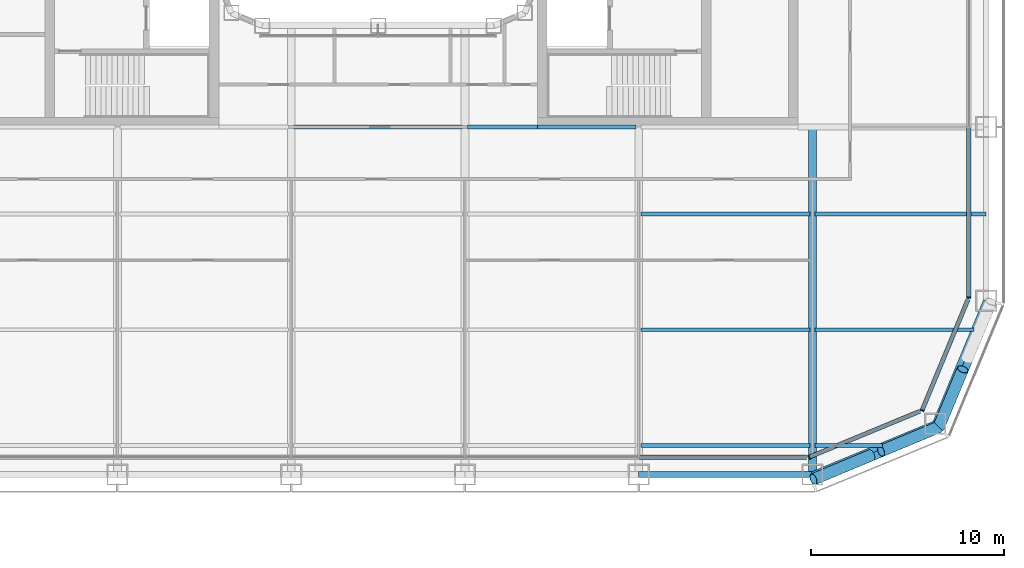
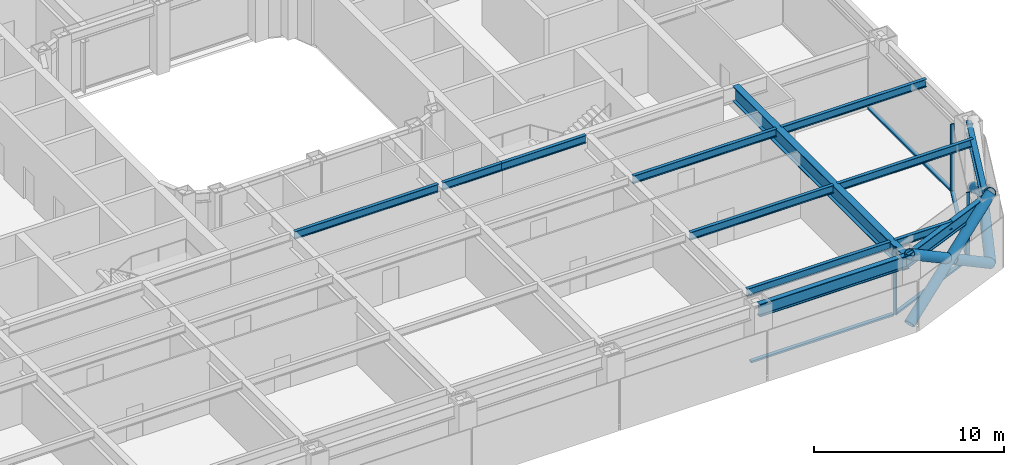
# One storey, part 4 of 27: 13 beams, 12 members, 4 elements without a shape of their own.
"""IFC4 building model written with IfcOpenShell, lengths in metres."""

from ifc_helpers import new_model, si_unit, direction, frame, origin, origin_2d, place, context, subcontext, project, spatial, rectangle, hollow_circle, i_section, extrude, material, layer, layer_set, material_profile, profile_set, type_object, element, aggregate, save


model = new_model("IFC4")

# Units and contexts
model_context = context("Model", 3, precision=1e-05, world=origin(), true_north=direction((0.0, 1.0)))
body_context = subcontext(model_context, "Body", "Model", "MODEL_VIEW")
ifc_project = project(units=[si_unit("LENGTHUNIT", "METRE"), si_unit("AREAUNIT", "SQUARE_METRE"), si_unit("VOLUMEUNIT", "CUBIC_METRE"), si_unit("PLANEANGLEUNIT", "RADIAN"), si_unit("MASSUNIT", "GRAM", prefix="KILO")], contexts=[model_context])

# Site, building, storey
site_placement = place(None, origin())
site = spatial("IfcSite", under=ifc_project, at=site_placement, CompositionType="ELEMENT")
building_placement = place(site_placement, origin())
building = spatial("IfcBuilding", under=site, at=building_placement, Name="Siwar Civic Tower", CompositionType="ELEMENT")
storey_placement = place(building_placement, frame((0.0, 0.0, 35.699951171875)))
storey = spatial("IfcBuildingStorey", under=building, at=storey_placement, Name="L07", CompositionType="ELEMENT", Elevation=35.699951171875)

# Curtain wall, member
ifc_material_1 = material(Name="Aluminium clad insulated panel", Category="aluminium")
ifc_layer_1 = layer(ifc_material_1, 0.219970703125)
ifc_layer_set_1 = layer_set([ifc_layer_1], Name="Aluminium clad insulated panel")
curtain_wall_type_1 = type_object("IfcCurtainWallType", Name="ENV-CW-AX", PredefinedType="NOTDEFINED", material=ifc_layer_set_1)
curtain_wall_1_placement = place(storey_placement, origin())
curtain_wall_1 = element("IfcCurtainWall", 1, at=curtain_wall_1_placement, inside=storey, type_object=curtain_wall_type_1, Name="Curtain wall A SE1", PredefinedType="NOTDEFINED")
ifc_material_2 = material(Name="Aluminium 6063-T6", Category="aluminium")
ifc_material_profile_1 = material_profile(ifc_material_2, rectangle(XDim=0.219970703125, YDim=0.070068359375, at=origin_2d()), Name="AL 220x70")
ifc_profile_set_1 = profile_set([ifc_material_profile_1], Name="Aluminium 6063-T6")
member_type_1 = type_object("IfcMemberType", Name="ENV-MULLION-A", PredefinedType="MULLION", material=ifc_profile_set_1)
member_1_placement = place(storey_placement, frame((22.321044921875, -30.60009765625, 0.0), z_axis=(0.0, 0.0, 1.0), x_axis=(-0.382683432365, 0.923879532511, 0.0)))
member_1 = element("IfcMember", 2, at=member_1_placement, type_object=member_type_1, Name="Mullion A SE1 1", PredefinedType="MULLION", context=body_context, shape_type="SweptSolid", body=[
    extrude(rectangle(XDim=0.219970703125, YDim=0.070068359375, at=origin_2d()), origin(), (0.0, 0.0, 1.0), 4.35009765625),
])

curtain_wall_2_placement = place(storey_placement, origin())
curtain_wall_2 = element("IfcCurtainWall", 3, at=curtain_wall_2_placement, inside=storey, type_object=curtain_wall_type_1, Name="Curtain wall A SE2", PredefinedType="NOTDEFINED")
member_2_placement = place(storey_placement, frame((28.175048828125, -28.175048828125, 0.0), z_axis=(0.0, 0.0, 1.0), x_axis=(-0.923879532511, 0.382683432365, 0.0)))
member_2 = element("IfcMember", 4, at=member_2_placement, type_object=member_type_1, Name="Mullion A SE2 1", PredefinedType="MULLION", context=body_context, shape_type="SweptSolid", body=[
    extrude(rectangle(XDim=0.219970703125, YDim=0.070068359375, at=origin_2d()), origin(), (0.0, 0.0, 1.0), 4.35009765625),
])

ifc_material_3 = material(Name="Aluminium and glass", Category="aluminium")
ifc_layer_2 = layer(ifc_material_3, 0.219970703125)
ifc_layer_set_2 = layer_set([ifc_layer_2], Name="Aluminium and glass")
curtain_wall_type_2 = type_object("IfcCurtainWallType", Name="ENV-CW-A", PredefinedType="NOTDEFINED", material=ifc_layer_set_2)
curtain_wall_3_placement = place(storey_placement, origin())
curtain_wall_3 = element("IfcCurtainWall", 5, at=curtain_wall_3_placement, inside=storey, type_object=curtain_wall_type_2, Name="Curtain wall A E", PredefinedType="NOTDEFINED")
member_3_placement = place(storey_placement, frame((30.60009765625, -22.321044921875, 0.0), z_axis=(0.0, 0.0, 1.0), x_axis=(-1.0, 0.0, 0.0)))
member_3 = element("IfcMember", 6, at=member_3_placement, type_object=member_type_1, Name="Mullion A E 1", PredefinedType="MULLION", context=body_context, shape_type="SweptSolid", body=[
    extrude(rectangle(XDim=0.219970703125, YDim=0.070068359375, at=origin_2d()), origin(), (0.0, 0.0, 1.0), 4.35009765625),
])

curtain_wall_4_placement = place(storey_placement, origin())
curtain_wall_4 = element("IfcCurtainWall", 7, at=curtain_wall_4_placement, inside=storey, type_object=curtain_wall_type_2, Name="Curtain wall A S", PredefinedType="NOTDEFINED")
ifc_material_4 = material(Name="Aluminium 6063-T6", Category="aluminium")
ifc_material_profile_2 = material_profile(ifc_material_4, rectangle(XDim=0.219970703125, YDim=0.1201171875, at=origin_2d()), Name="AL 220x120")
ifc_profile_set_2 = profile_set([ifc_material_profile_2], Name="Aluminium 6063-T6")
member_type_2 = type_object("IfcMemberType", Name="ENV-TRANSOM-A", PredefinedType="USERDEFINED", material=ifc_profile_set_2)
member_4_placement = place(storey_placement, frame((13.534912109375, -30.60009765625, 0.06005859375), z_axis=(1.0, 0.0, 0.0), x_axis=(0.0, 1.0, 0.0)))
member_4 = element("IfcMember", 8, at=member_4_placement, type_object=member_type_2, Name="Transom A S 5", ObjectType="TRANSOM", PredefinedType="USERDEFINED", context=body_context, shape_type="SweptSolid", body=[
    extrude(rectangle(XDim=0.219970703125, YDim=0.1201171875, at=origin_2d()), origin(), (0.0, 0.0, 1.0), 8.66357421875),
])
aggregate(curtain_wall_4, [member_4])

# Member
member_5_placement = place(storey_placement, frame((22.353271484375, -30.586669921875, 0.06005859375), z_axis=(0.923873326341, 0.382698415042, 0.0), x_axis=(-0.382698415042, 0.923873326341, 0.0)))
member_5 = element("IfcMember", 9, at=member_5_placement, type_object=member_type_2, Name="Transom A SE1 1", ObjectType="TRANSOM", PredefinedType="USERDEFINED", context=body_context, shape_type="SweptSolid", body=[
    extrude(rectangle(XDim=0.219970703125, YDim=0.1201171875, at=origin_2d()), origin(), (0.0, 0.0, 1.0), 6.17919921875),
])

aggregate(curtain_wall_1, [member_1, member_5])

member_6_placement = place(storey_placement, frame((28.1884765625, -28.142822265625, 0.06005859375), z_axis=(0.382698415042, 0.923873326341, 0.0), x_axis=(-0.923873326341, 0.382698415042, 0.0)))
member_6 = element("IfcMember", 10, at=member_6_placement, type_object=member_type_2, Name="Transom A SE2 1", ObjectType="TRANSOM", PredefinedType="USERDEFINED", context=body_context, shape_type="SweptSolid", body=[
    extrude(rectangle(XDim=0.219970703125, YDim=0.1201171875, at=origin_2d()), origin(), (0.0, 0.0, 1.0), 6.17919921875),
])

aggregate(curtain_wall_2, [member_2, member_6])

member_7_placement = place(storey_placement, frame((30.60009765625, -22.285888671875, 0.06005859375), z_axis=(0.0, 1.0, 0.0), x_axis=(-1.0, 0.0, 0.0)))
member_7 = element("IfcMember", 11, at=member_7_placement, type_object=member_type_2, Name="Transom A E 1", ObjectType="TRANSOM", PredefinedType="USERDEFINED", context=body_context, shape_type="SweptSolid", body=[
    extrude(rectangle(XDim=0.219970703125, YDim=0.1201171875, at=origin_2d()), origin(), (0.0, 0.0, 1.0), 8.7509765625),
])

aggregate(curtain_wall_3, [member_3, member_7])

# Members
ifc_material_5 = material(Name="Steel S355", Category="steel")
ifc_material_profile_3 = material_profile(ifc_material_5, hollow_circle(Radius=0.304931640625, WallThickness=0.030029296875, at=origin_2d()), Name="CHS610x30")
ifc_profile_set_3 = profile_set([ifc_material_profile_3], Name="Steel S355")
member_type_3 = type_object("IfcMemberType", Name="STR-BR-CHS610x30", PredefinedType="BRACE", material=ifc_profile_set_3)
member_8_placement = place(storey_placement, frame((31.7451171875, -22.548828125, 0.0), z_axis=(-0.323905527954, -0.777554562952, 0.538975055633), x_axis=(0.923108759191, -0.384538969033, 0.0)))
element("IfcMember", 12, at=member_8_placement, inside=storey, type_object=member_type_3, Name="L07/brc/ASE1-6-0-1", PredefinedType="BRACE", context=body_context, shape_type="SweptSolid", body=[
    extrude(hollow_circle(Radius=0.304931640625, WallThickness=0.030029296875, at=origin_2d()), origin(), (0.0, 0.0, 1.0), 8.34912109375),
])
member_9_placement = place(storey_placement, frame((29.040771484375, -29.040771484375, 0.0), z_axis=(0.323922979564, 0.777542179573, 0.53898243227), x_axis=(-0.923099230484, 0.384561842466, 0.0)))
element("IfcMember", 13, at=member_9_placement, inside=storey, type_object=member_type_3, Name="L07/brc/ASE1-6-0-2", PredefinedType="BRACE", context=body_context, shape_type="SweptSolid", body=[
    extrude(hollow_circle(Radius=0.304931640625, WallThickness=0.030029296875, at=origin_2d()), origin(), (0.0, 0.0, 1.0), 3.84375),
])
member_10_placement = place(storey_placement, frame((22.548828125, -31.7451171875, 0.0), z_axis=(0.777554562952, 0.323905527954, 0.538975055633), x_axis=(-0.384538969033, 0.923108759191, 0.0)))
element("IfcMember", 14, at=member_10_placement, inside=storey, type_object=member_type_3, Name="L07/brc/ASE1-6-0-0", PredefinedType="BRACE", context=body_context, shape_type="SweptSolid", body=[
    extrude(hollow_circle(Radius=0.304931640625, WallThickness=0.030029296875, at=origin_2d()), origin(), (0.0, 0.0, 1.0), 8.34912109375),
])
member_11_placement = place(storey_placement, frame((29.040771484375, -29.040771484375, 0.0), z_axis=(-0.777542179573, -0.323922979564, 0.53898243227), x_axis=(0.384561842466, -0.923099230484, 0.0)))
element("IfcMember", 15, at=member_11_placement, inside=storey, type_object=member_type_3, Name="L07/brc/ASE1-6-0-4", PredefinedType="BRACE", context=body_context, shape_type="SweptSolid", body=[
    extrude(hollow_circle(Radius=0.304931640625, WallThickness=0.030029296875, at=origin_2d()), origin(), (0.0, 0.0, 1.0), 3.84375),
])
member_12_placement = place(storey_placement, frame((25.537353515625, -30.500244140625, 2.428466796875), z_axis=(-0.777559680196, -0.3238932121, 0.53897507446), x_axis=(0.384524353215, -0.923114847559, 0.0)))
element("IfcMember", 16, at=member_12_placement, inside=storey, type_object=member_type_3, Name="L07/brc/ASE1-6-0-5", PredefinedType="BRACE", context=body_context, shape_type="SweptSolid", body=[
    extrude(hollow_circle(Radius=0.304931640625, WallThickness=0.030029296875, at=origin_2d()), origin(), (0.0, 0.0, 1.0), 3.843505859375),
])

# Beams
ifc_material_6 = material(Name="Steel S355", Category="steel")
ifc_material_profile_4 = material_profile(ifc_material_6, i_section(OverallWidth=0.199951171875, OverallDepth=0.5, WebThickness=0.01025390625, FlangeThickness=0.01611328125, FilletRadius=0.02099609375, at=origin_2d()), Name="IPE500")
ifc_profile_set_4 = profile_set([ifc_material_profile_4], Name="Steel S355")
beam_type_1 = type_object("IfcBeamType", Name="STR-FB-IPE500", PredefinedType="JOIST", material=ifc_profile_set_4)
beam_1_placement = place(storey_placement, frame((13.6298828125, -30.0, 4.10009765625), z_axis=(1.0, 0.0, 0.0), x_axis=(0.0, 1.0, 0.0)))
element("IfcBeam", 17, at=beam_1_placement, inside=storey, type_object=beam_type_1, Name="L07/bm/F006", PredefinedType="JOIST", context=body_context, shape_type="SweptSolid", body=[
    extrude(i_section(OverallWidth=0.199951171875, OverallDepth=0.5, WebThickness=0.01025390625, FlangeThickness=0.01611328125, FilletRadius=0.02099609375, at=origin_2d()), origin(), (0.0, 0.0, 1.0), 8.740234375),
])
beam_2_placement = place(storey_placement, frame((22.6298828125, -30.0, 4.10009765625), z_axis=(1.0, 0.0, 0.0), x_axis=(0.0, 1.0, 0.0)))
element("IfcBeam", 18, at=beam_2_placement, inside=storey, type_object=beam_type_1, Name="L07/bm/F007", PredefinedType="JOIST", context=body_context, shape_type="SweptSolid", body=[
    extrude(i_section(OverallWidth=0.199951171875, OverallDepth=0.5, WebThickness=0.01025390625, FlangeThickness=0.01611328125, FilletRadius=0.02099609375, at=origin_2d()), origin(), (0.0, 0.0, 1.0), 3.491455078125),
])
beam_3_placement = place(storey_placement, frame((13.6298828125, -24.0, 4.10009765625), z_axis=(1.0, 0.0, 0.0), x_axis=(0.0, 1.0, 0.0)))
element("IfcBeam", 19, at=beam_3_placement, inside=storey, type_object=beam_type_1, Name="L07/bm/F013", PredefinedType="JOIST", context=body_context, shape_type="SweptSolid", body=[
    extrude(i_section(OverallWidth=0.199951171875, OverallDepth=0.5, WebThickness=0.01025390625, FlangeThickness=0.01611328125, FilletRadius=0.02099609375, at=origin_2d()), origin(), (0.0, 0.0, 1.0), 8.740234375),
])
beam_4_placement = place(storey_placement, frame((22.6298828125, -24.0, 4.10009765625), z_axis=(1.0, 0.0, 0.0), x_axis=(0.0, 1.0, 0.0)))
element("IfcBeam", 20, at=beam_4_placement, inside=storey, type_object=beam_type_1, Name="L07/bm/F014", PredefinedType="JOIST", context=body_context, shape_type="SweptSolid", body=[
    extrude(i_section(OverallWidth=0.199951171875, OverallDepth=0.5, WebThickness=0.01025390625, FlangeThickness=0.01611328125, FilletRadius=0.02099609375, at=origin_2d()), origin(), (0.0, 0.0, 1.0), 8.248779296875),
])
beam_5_placement = place(storey_placement, frame((13.6298828125, -18.0, 4.10009765625), z_axis=(1.0, 0.0, 0.0), x_axis=(0.0, 1.0, 0.0)))
element("IfcBeam", 21, at=beam_5_placement, inside=storey, type_object=beam_type_1, Name="L07/bm/F020", PredefinedType="JOIST", context=body_context, shape_type="SweptSolid", body=[
    extrude(i_section(OverallWidth=0.199951171875, OverallDepth=0.5, WebThickness=0.01025390625, FlangeThickness=0.01611328125, FilletRadius=0.02099609375, at=origin_2d()), origin(), (0.0, 0.0, 1.0), 8.740234375),
])
beam_6_placement = place(storey_placement, frame((22.6298828125, -18.0, 4.10009765625), z_axis=(1.0, 0.0, 0.0), x_axis=(0.0, 1.0, 0.0)))
element("IfcBeam", 22, at=beam_6_placement, inside=storey, type_object=beam_type_1, Name="L07/bm/F021", PredefinedType="JOIST", context=body_context, shape_type="SweptSolid", body=[
    extrude(i_section(OverallWidth=0.199951171875, OverallDepth=0.5, WebThickness=0.01025390625, FlangeThickness=0.01611328125, FilletRadius=0.02099609375, at=origin_2d()), origin(), (0.0, 0.0, 1.0), 8.8701171875),
])
beam_7_placement = place(storey_placement, frame((-4.3701171875, -13.5, 4.10009765625), z_axis=(1.0, 0.0, 0.0), x_axis=(0.0, 1.0, 0.0)))
element("IfcBeam", 23, at=beam_7_placement, inside=storey, type_object=beam_type_1, Name="L07/bm/F026", PredefinedType="JOIST", context=body_context, shape_type="SweptSolid", body=[
    extrude(i_section(OverallWidth=0.199951171875, OverallDepth=0.5, WebThickness=0.01025390625, FlangeThickness=0.01611328125, FilletRadius=0.02099609375, at=origin_2d()), origin(), (0.0, 0.0, 1.0), 8.740234375),
])
beam_8_placement = place(storey_placement, frame((4.6298828125, -13.5, 4.10009765625), z_axis=(1.0, 0.0, 0.0), x_axis=(0.0, 1.0, 0.0)))
element("IfcBeam", 24, at=beam_8_placement, inside=storey, type_object=beam_type_1, Name="L07/bm/F027", PredefinedType="JOIST", context=body_context, shape_type="SweptSolid", body=[
    extrude(i_section(OverallWidth=0.199951171875, OverallDepth=0.5, WebThickness=0.01025390625, FlangeThickness=0.01611328125, FilletRadius=0.02099609375, at=origin_2d()), origin(), (0.0, 0.0, 1.0), 3.6201171875),
])
beam_9_placement = place(storey_placement, frame((8.25, -13.5, 4.10009765625), z_axis=(1.0, 0.0, 0.0), x_axis=(0.0, 1.0, 0.0)))
element("IfcBeam", 25, at=beam_9_placement, inside=storey, type_object=beam_type_1, Name="L07/bm/F028", PredefinedType="JOIST", context=body_context, shape_type="SweptSolid", body=[
    extrude(i_section(OverallWidth=0.199951171875, OverallDepth=0.5, WebThickness=0.01025390625, FlangeThickness=0.01611328125, FilletRadius=0.02099609375, at=origin_2d()), origin(), (0.0, 0.0, 1.0), 5.1201171875),
])
ifc_material_7 = material(Name="Steel S355", Category="steel")
ifc_material_profile_5 = material_profile(ifc_material_7, i_section(OverallWidth=0.39990234375, OverallDepth=1.0, WebThickness=0.01611328125, FlangeThickness=0.0400390625, at=origin_2d()), Name="PG1000x400x16x40")
ifc_profile_set_5 = profile_set([ifc_material_profile_5], Name="Steel S355")
beam_type_2 = type_object("IfcBeamType", Name="STR-PG-PG1000x400x16x40", PredefinedType="BEAM", material=ifc_profile_set_5)
beam_10_placement = place(storey_placement, frame((22.5, -31.5, 3.85009765625), z_axis=(0.0, 1.0, 0.0), x_axis=(-1.0, 0.0, 0.0)))
element("IfcBeam", 26, at=beam_10_placement, inside=storey, type_object=beam_type_2, Name="L07/bm/G11", PredefinedType="BEAM", context=body_context, shape_type="SweptSolid", body=[
    extrude(i_section(OverallWidth=0.39990234375, OverallDepth=1.0, WebThickness=0.01611328125, FlangeThickness=0.0400390625, at=origin_2d()), origin(), (0.0, 0.0, 1.0), 18.0),
])
ifc_material_8 = material(Name="Steel S355", Category="steel")
ifc_material_profile_6 = material_profile(ifc_material_8, i_section(OverallWidth=0.302978515625, OverallDepth=0.81396484375, WebThickness=0.02099609375, FlangeThickness=0.0400390625, FilletRadius=0.030029296875, at=origin_2d()), Name="HEM800")
ifc_profile_set_6 = profile_set([ifc_material_profile_6], Name="Steel S355")
beam_type_3 = type_object("IfcBeamType", Name="STR-SB-HEM800", PredefinedType="BEAM", material=ifc_profile_set_6)
beam_11_placement = place(storey_placement, frame((13.5, -31.5, 3.943115234375), z_axis=(1.0, 0.0, 0.0), x_axis=(0.0, 1.0, 0.0)))
element("IfcBeam", 27, at=beam_11_placement, inside=storey, type_object=beam_type_3, Name="L07/bm/SS-4", PredefinedType="BEAM", context=body_context, shape_type="SweptSolid", body=[
    extrude(i_section(OverallWidth=0.302978515625, OverallDepth=0.81396484375, WebThickness=0.02099609375, FlangeThickness=0.0400390625, FilletRadius=0.030029296875, at=origin_2d()), origin(), (0.0, 0.0, 1.0), 9.0),
])
for number, where, z_axis, x_axis, name in (
    (28, (22.5, -31.5, 3.943115234375), (0.923883353507, 0.382674207535, 0.0), (-0.382674207535, 0.923883353507, 0.0), "L07/bm/SSE1-0"),
    (29, (28.864013671875, -28.864013671875, 3.943115234375), (0.382674207535, 0.923883353507, 0.0), (-0.923883353507, 0.382674207535, 0.0), "L07/bm/SSE2-0"),
):
    element("IfcBeam", number, at=place(storey_placement, frame(where, z_axis=z_axis, x_axis=x_axis)), inside=storey, type_object=beam_type_3, Name=name, PredefinedType="BEAM", context=body_context, shape_type="SweptSolid", body=[
        extrude(i_section(OverallWidth=0.302978515625, OverallDepth=0.81396484375, WebThickness=0.02099609375, FlangeThickness=0.0400390625, FilletRadius=0.030029296875, at=origin_2d()), origin(), (0.0, 0.0, 1.0), 6.888427734375),
    ])

save(model, "model.ifc")
